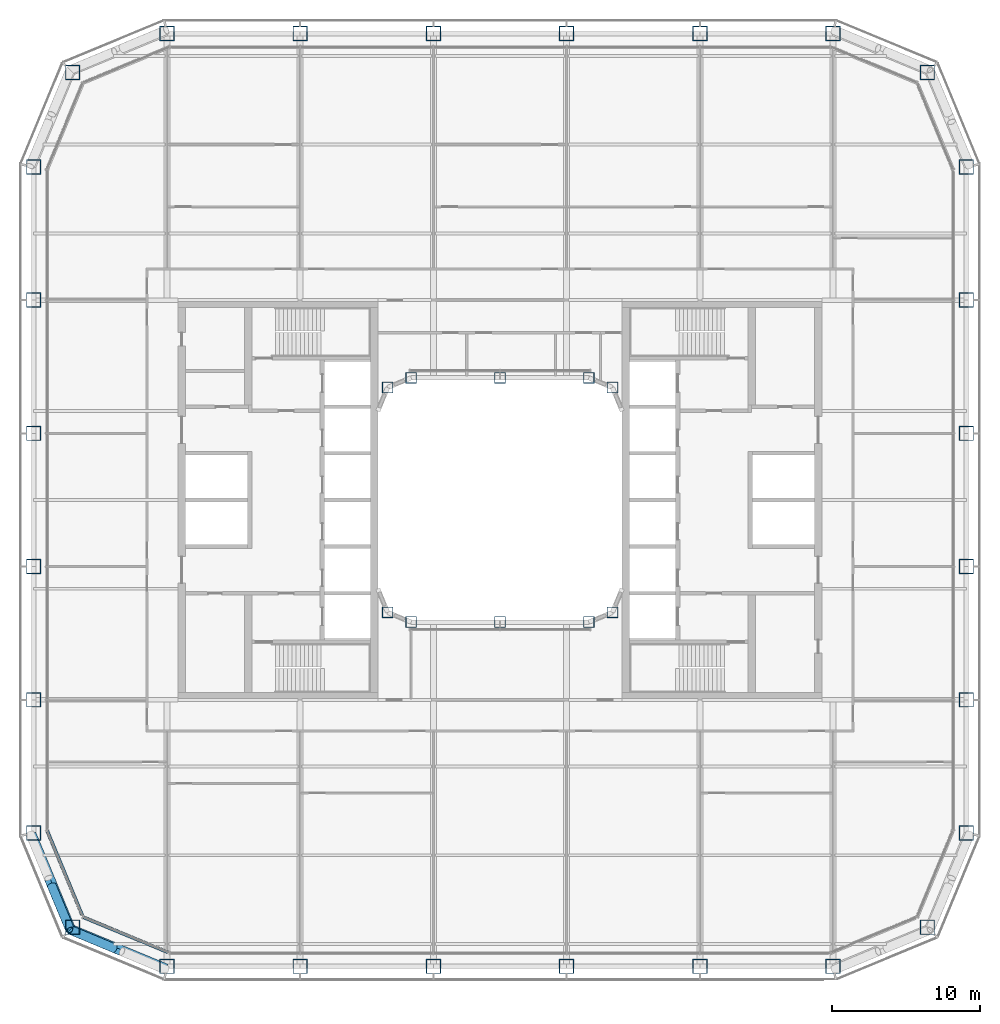
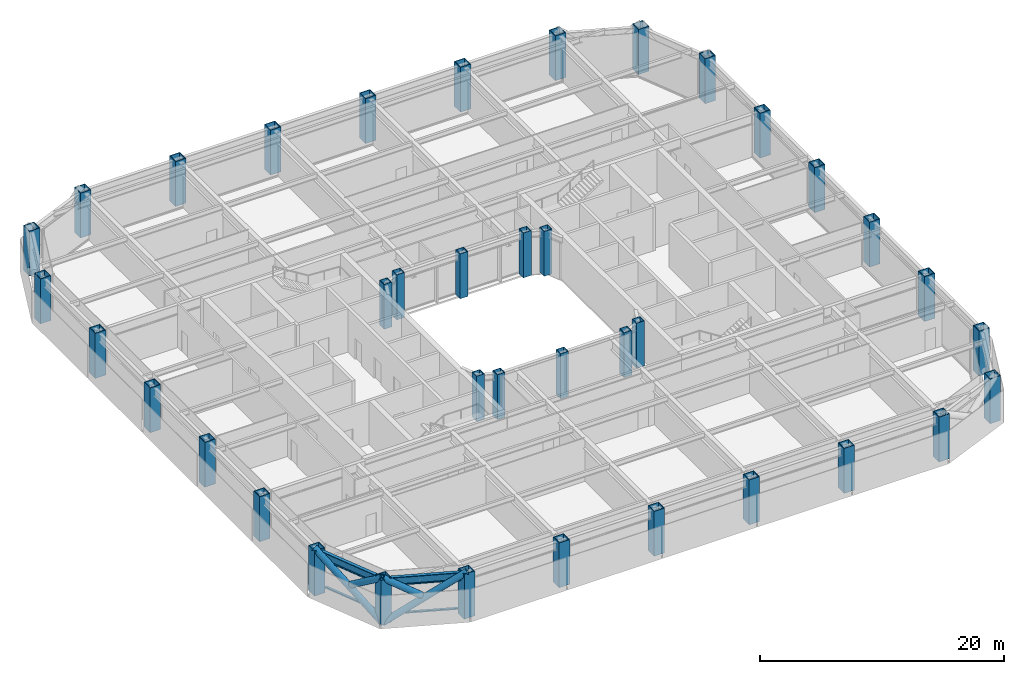
# One storey, part 1 of 25: 38 columns, 6 members, 2 beams, 2 elements without a shape of their own.
"""IFC4 building model written with IfcOpenShell, lengths in metres."""

from ifc_helpers import new_model, si_unit, direction, frame, origin, origin_2d, place, context, subcontext, project, spatial, rectangle, hollow_rectangle, hollow_circle, i_section, extrude, material, layer, layer_set, material_profile, profile_set, type_object, element, aggregate, save


model = new_model("IFC4")

# Units and contexts
model_context = context("Model", 3, precision=1e-05, world=origin(), true_north=direction((0.0, 1.0)))
body_context = subcontext(model_context, "Body", "Model", "MODEL_VIEW")
ifc_project = project(units=[si_unit("LENGTHUNIT", "METRE"), si_unit("AREAUNIT", "SQUARE_METRE"), si_unit("VOLUMEUNIT", "CUBIC_METRE"), si_unit("PLANEANGLEUNIT", "RADIAN"), si_unit("MASSUNIT", "GRAM", prefix="KILO")], contexts=[model_context])

# Site, building, storey
site_placement = place(None, origin())
site = spatial("IfcSite", under=ifc_project, at=site_placement, CompositionType="ELEMENT")
building_placement = place(site_placement, origin())
building = spatial("IfcBuilding", under=site, at=building_placement, Name="Siwar Civic Tower", CompositionType="ELEMENT")
storey_placement = place(building_placement, frame((0.0, 0.0, 58.199951171875)))
storey = spatial("IfcBuildingStorey", under=building, at=storey_placement, Name="L12", CompositionType="ELEMENT", Elevation=58.199951171875)

# Columns
ifc_material_1 = material(Name="Steel S460", Category="steel")
ifc_material_profile_1 = material_profile(ifc_material_1, hollow_rectangle(XDim=1.0, YDim=1.0, WallThickness=0.06005859375, at=origin_2d()), Name="BOX1000x1000x60")
ifc_profile_set_1 = profile_set([ifc_material_profile_1], Name="Steel S460")
column_type_1 = type_object("IfcColumnType", Name="STR-COL-BOX1000x1000x60", PredefinedType="COLUMN", material=ifc_profile_set_1)
for number, where, z_axis, x_axis, name in (
    (1, (-22.5, -31.5, 0.0), (0.0, 0.0, 1.0), (1.0, 0.0, 0.0), "L12/col/S-0"),
    (2, (-13.5, -31.5, 0.0), (0.0, 0.0, 1.0), (1.0, 0.0, 0.0), "L12/col/S-1"),
    (3, (-4.5, -31.5, 0.0), (0.0, 0.0, 1.0), (1.0, 0.0, 0.0), "L12/col/S-2"),
    (4, (4.5, -31.5, 0.0), (0.0, 0.0, 1.0), (1.0, 0.0, 0.0), "L12/col/S-3"),
    (5, (13.5, -31.5, 0.0), (0.0, 0.0, 1.0), (1.0, 0.0, 0.0), "L12/col/S-4"),
    (6, (22.5, -31.5, 0.0), (0.0, 0.0, 1.0), (1.0, 0.0, 0.0), "L12/col/SE1-0"),
    (7, (28.864013671875, -28.864013671875, 0.0), (0.0, 0.0, 1.0), (1.0, 0.0, 0.0), "L12/col/SE2-0"),
    (8, (31.5, -22.5, 0.0), (0.0, 0.0, 1.0), (1.0, 0.0, 0.0), "L12/col/E-0"),
    (9, (31.5, -13.5, 0.0), (0.0, 0.0, 1.0), (1.0, 0.0, 0.0), "L12/col/E-1"),
    (10, (31.5, -4.5, 0.0), (0.0, 0.0, 1.0), (1.0, 0.0, 0.0), "L12/col/E-2"),
    (11, (31.5, 4.5, 0.0), (0.0, 0.0, 1.0), (1.0, 0.0, 0.0), "L12/col/E-3"),
    (12, (31.5, 13.5, 0.0), (0.0, 0.0, 1.0), (1.0, 0.0, 0.0), "L12/col/E-4"),
    (13, (31.5, 22.5, 0.0), (0.0, 0.0, 1.0), (1.0, 0.0, 0.0), "L12/col/NE1-0"),
    (14, (28.864013671875, 28.864013671875, 0.0), (0.0, 0.0, 1.0), (1.0, 0.0, 0.0), "L12/col/NE2-0"),
    (15, (22.5, 31.5, 0.0), (0.0, 0.0, 1.0), (1.0, 0.0, 0.0), "L12/col/N-0"),
    (16, (13.5, 31.5, 0.0), (0.0, 0.0, 1.0), (1.0, 0.0, 0.0), "L12/col/N-1"),
    (17, (4.5, 31.5, 0.0), (0.0, 0.0, 1.0), (1.0, 0.0, 0.0), "L12/col/N-2"),
    (18, (-4.5, 31.5, 0.0), (0.0, 0.0, 1.0), (1.0, 0.0, 0.0), "L12/col/N-3"),
    (19, (-13.5, 31.5, 0.0), (0.0, 0.0, 1.0), (1.0, 0.0, 0.0), "L12/col/N-4"),
    (20, (-22.5, 31.5, 0.0), (0.0, 0.0, 1.0), (1.0, 0.0, 0.0), "L12/col/NW1-0"),
    (21, (-28.864013671875, 28.864013671875, 0.0), (0.0, 0.0, 1.0), (1.0, 0.0, 0.0), "L12/col/NW2-0"),
    (22, (-31.5, 22.5, 0.0), (0.0, 0.0, 1.0), (1.0, 0.0, 0.0), "L12/col/W-0"),
    (23, (-31.5, 13.5, 0.0), (0.0, 0.0, 1.0), (1.0, 0.0, 0.0), "L12/col/W-1"),
    (24, (-31.5, 4.5, 0.0), (0.0, 0.0, 1.0), (1.0, 0.0, 0.0), "L12/col/W-2"),
    (25, (-31.5, -4.5, 0.0), (0.0, 0.0, 1.0), (1.0, 0.0, 0.0), "L12/col/W-3"),
    (26, (-31.5, -13.5, 0.0), (0.0, 0.0, 1.0), (1.0, 0.0, 0.0), "L12/col/W-4"),
    (27, (-31.5, -22.5, 0.0), (0.0, 0.0, 1.0), (1.0, 0.0, 0.0), "L12/col/SW1-0"),
    (28, (-28.864013671875, -28.864013671875, 0.0), (0.0, 0.0, 1.0), (1.0, 0.0, 0.0), "L12/col/SW2-0"),
):
    element("IfcColumn", number, at=place(storey_placement, frame(where, z_axis=z_axis, x_axis=x_axis)), inside=storey, type_object=column_type_1, Name=name, PredefinedType="COLUMN", context=body_context, shape_type="SweptSolid", body=[
        extrude(hollow_rectangle(XDim=1.0, YDim=1.0, WallThickness=0.06005859375, at=origin_2d()), origin(), (0.0, 0.0, 1.0), 4.5),
    ])
ifc_material_2 = material(Name="Steel S355", Category="steel")
ifc_material_profile_2 = material_profile(ifc_material_2, hollow_rectangle(XDim=0.75, YDim=0.75, WallThickness=0.044921875, at=origin_2d()), Name="BOX750x750x45")
ifc_profile_set_2 = profile_set([ifc_material_profile_2], Name="Steel S355")
column_type_2 = type_object("IfcColumnType", Name="STR-ICOL-BOX750x750x45", PredefinedType="COLUMN", material=ifc_profile_set_2)
for number, where, z_axis, x_axis, name in (
    (29, (-7.591064453125, -7.591064453125, 0.0), (0.0, 0.0, 1.0), (1.0, 0.0, 0.0), "L12/col/IS-0"),
    (30, (-6.0, -8.25, 0.0), (0.0, 0.0, 1.0), (1.0, 0.0, 0.0), "L12/col/IS-1"),
    (31, (0.0, -8.25, 0.0), (0.0, 0.0, 1.0), (1.0, 0.0, 0.0), "L12/col/IS-2"),
    (32, (6.0, -8.25, 0.0), (0.0, 0.0, 1.0), (1.0, 0.0, 0.0), "L12/col/IS-3"),
    (33, (7.591064453125, -7.591064453125, 0.0), (0.0, 0.0, 1.0), (1.0, 0.0, 0.0), "L12/col/IS-4"),
    (34, (-7.591064453125, 7.591064453125, 0.0), (0.0, 0.0, 1.0), (1.0, 0.0, 0.0), "L12/col/IN-0"),
    (35, (-6.0, 8.25, 0.0), (0.0, 0.0, 1.0), (1.0, 0.0, 0.0), "L12/col/IN-1"),
    (36, (0.0, 8.25, 0.0), (0.0, 0.0, 1.0), (1.0, 0.0, 0.0), "L12/col/IN-2"),
    (37, (6.0, 8.25, 0.0), (0.0, 0.0, 1.0), (1.0, 0.0, 0.0), "L12/col/IN-3"),
    (38, (7.591064453125, 7.591064453125, 0.0), (0.0, 0.0, 1.0), (1.0, 0.0, 0.0), "L12/col/IN-4"),
):
    element("IfcColumn", number, at=place(storey_placement, frame(where, z_axis=z_axis, x_axis=x_axis)), inside=storey, type_object=column_type_2, Name=name, PredefinedType="COLUMN", context=body_context, shape_type="SweptSolid", body=[
        extrude(hollow_rectangle(XDim=0.75, YDim=0.75, WallThickness=0.044921875, at=origin_2d()), origin(), (0.0, 0.0, 1.0), 4.5),
    ])

# Curtain wall, member
ifc_material_3 = material(Name="Aluminium clad insulated panel", Category="aluminium")
ifc_layer = layer(ifc_material_3, 0.219970703125)
ifc_layer_set = layer_set([ifc_layer], Name="Aluminium clad insulated panel")
curtain_wall_type = type_object("IfcCurtainWallType", Name="ENV-CW-AX", PredefinedType="NOTDEFINED", material=ifc_layer_set)
curtain_wall_1_placement = place(storey_placement, origin())
curtain_wall_1 = element("IfcCurtainWall", 39, at=curtain_wall_1_placement, inside=storey, type_object=curtain_wall_type, Name="Curtain wall A SW1", PredefinedType="NOTDEFINED")
ifc_material_4 = material(Name="Aluminium 6063-T6", Category="aluminium")
ifc_material_profile_3 = material_profile(ifc_material_4, rectangle(XDim=0.219970703125, YDim=0.1201171875, at=origin_2d()), Name="AL 220x120")
ifc_profile_set_3 = profile_set([ifc_material_profile_3], Name="Aluminium 6063-T6")
member_type_1 = type_object("IfcMemberType", Name="ENV-TRANSOM-A", PredefinedType="USERDEFINED", material=ifc_profile_set_3)
member_1_placement = place(storey_placement, frame((-30.586669921875, -22.353271484375, 0.06005859375), z_axis=(0.382698415042, -0.923873326341, 0.0), x_axis=(0.923873326341, 0.382698415042, 0.0)))
member_1 = element("IfcMember", 40, at=member_1_placement, type_object=member_type_1, Name="Transom A SW1 1", ObjectType="TRANSOM", PredefinedType="USERDEFINED", context=body_context, shape_type="SweptSolid", body=[
    extrude(rectangle(XDim=0.219970703125, YDim=0.1201171875, at=origin_2d()), origin(), (0.0, 0.0, 1.0), 6.17919921875),
])
aggregate(curtain_wall_1, [member_1])

curtain_wall_2_placement = place(storey_placement, origin())
curtain_wall_2 = element("IfcCurtainWall", 41, at=curtain_wall_2_placement, inside=storey, type_object=curtain_wall_type, Name="Curtain wall A SW2", PredefinedType="NOTDEFINED")
member_2_placement = place(storey_placement, frame((-28.142822265625, -28.1884765625, 0.06005859375), z_axis=(0.923873326341, -0.382698415042, 0.0), x_axis=(0.382698415042, 0.923873326341, 0.0)))
member_2 = element("IfcMember", 42, at=member_2_placement, type_object=member_type_1, Name="Transom A SW2 1", ObjectType="TRANSOM", PredefinedType="USERDEFINED", context=body_context, shape_type="SweptSolid", body=[
    extrude(rectangle(XDim=0.219970703125, YDim=0.1201171875, at=origin_2d()), origin(), (0.0, 0.0, 1.0), 6.17919921875),
])
aggregate(curtain_wall_2, [member_2])

# Members
ifc_material_5 = material(Name="Steel S355", Category="steel")
ifc_material_profile_4 = material_profile(ifc_material_5, hollow_circle(Radius=0.304931640625, WallThickness=0.030029296875, at=origin_2d()), Name="CHS610x30")
ifc_profile_set_4 = profile_set([ifc_material_profile_4], Name="Steel S355")
member_type_2 = type_object("IfcMemberType", Name="STR-BR-CHS610x30", PredefinedType="BRACE", material=ifc_profile_set_4)
member_3_placement = place(storey_placement, frame((-29.040771484375, -29.040771484375, 0.0), z_axis=(0.777554562952, -0.323905527954, 0.538975055633), x_axis=(0.384538969033, 0.923108759191, 0.0)))
element("IfcMember", 43, at=member_3_placement, inside=storey, type_object=member_type_2, Name="L12/brc/ASW1-11-0-1", PredefinedType="BRACE", context=body_context, shape_type="SweptSolid", body=[
    extrude(hollow_circle(Radius=0.304931640625, WallThickness=0.030029296875, at=origin_2d()), origin(), (0.0, 0.0, 1.0), 8.34912109375),
])
member_4_placement = place(storey_placement, frame((-26.052001953125, -30.285888671875, 2.428466796875), z_axis=(-0.777568797048, 0.323934068367, 0.538937366685), x_axis=(-0.384561842466, -0.923099230484, 0.0)))
element("IfcMember", 44, at=member_4_placement, inside=storey, type_object=member_type_2, Name="L12/brc/ASW1-11-0-3", PredefinedType="BRACE", context=body_context, shape_type="SweptSolid", body=[
    extrude(hollow_circle(Radius=0.304931640625, WallThickness=0.030029296875, at=origin_2d()), origin(), (0.0, 0.0, 1.0), 3.84375),
])
member_5_placement = place(storey_placement, frame((-29.040771484375, -29.040771484375, 0.0), z_axis=(-0.323905527954, 0.777554562952, 0.538975055633), x_axis=(-0.923108759191, -0.384538969033, 0.0)))
element("IfcMember", 45, at=member_5_placement, inside=storey, type_object=member_type_2, Name="L12/brc/ASW1-11-0-0", PredefinedType="BRACE", context=body_context, shape_type="SweptSolid", body=[
    extrude(hollow_circle(Radius=0.304931640625, WallThickness=0.030029296875, at=origin_2d()), origin(), (0.0, 0.0, 1.0), 8.34912109375),
])
member_6_placement = place(storey_placement, frame((-30.285888671875, -26.052001953125, 2.428466796875), z_axis=(0.323934068367, -0.777568797048, 0.538937366685), x_axis=(0.923099230484, 0.384561842466, 0.0)))
element("IfcMember", 46, at=member_6_placement, inside=storey, type_object=member_type_2, Name="L12/brc/ASW1-11-0-5", PredefinedType="BRACE", context=body_context, shape_type="SweptSolid", body=[
    extrude(hollow_circle(Radius=0.304931640625, WallThickness=0.030029296875, at=origin_2d()), origin(), (0.0, 0.0, 1.0), 3.84375),
])

# Beams
ifc_material_6 = material(Name="Steel S355", Category="steel")
ifc_material_profile_5 = material_profile(ifc_material_6, i_section(OverallWidth=0.302978515625, OverallDepth=0.81396484375, WebThickness=0.02099609375, FlangeThickness=0.0400390625, FilletRadius=0.030029296875, at=origin_2d()), Name="HEM800")
ifc_profile_set_5 = profile_set([ifc_material_profile_5], Name="Steel S355")
beam_type = type_object("IfcBeamType", Name="STR-SB-HEM800", PredefinedType="BEAM", material=ifc_profile_set_5)
for number, where, z_axis, x_axis, name in (
    (47, (-31.5, -22.5, 3.943115234375), (0.382674207535, -0.923883353507, 0.0), (0.923883353507, 0.382674207535, 0.0), "L12/bm/SSW1-0"),
    (48, (-28.864013671875, -28.864013671875, 3.943115234375), (0.923883353507, -0.382674207535, 0.0), (0.382674207535, 0.923883353507, 0.0), "L12/bm/SSW2-0"),
):
    element("IfcBeam", number, at=place(storey_placement, frame(where, z_axis=z_axis, x_axis=x_axis)), inside=storey, type_object=beam_type, Name=name, PredefinedType="BEAM", context=body_context, shape_type="SweptSolid", body=[
        extrude(i_section(OverallWidth=0.302978515625, OverallDepth=0.81396484375, WebThickness=0.02099609375, FlangeThickness=0.0400390625, FilletRadius=0.030029296875, at=origin_2d()), origin(), (0.0, 0.0, 1.0), 6.888427734375),
    ])

save(model, "model.ifc")
